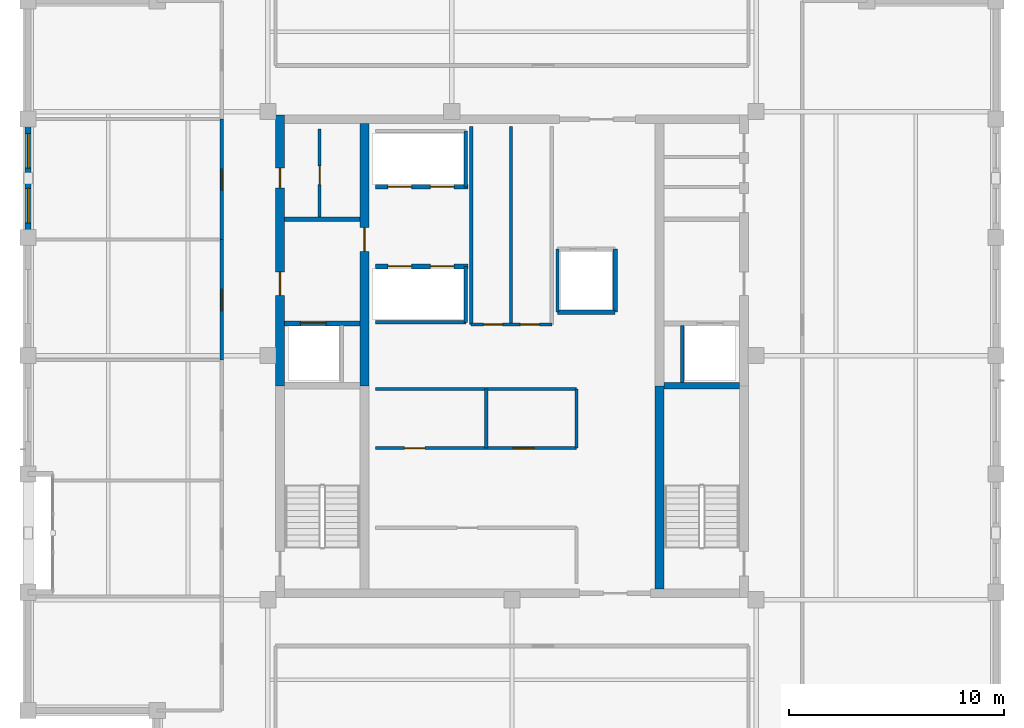
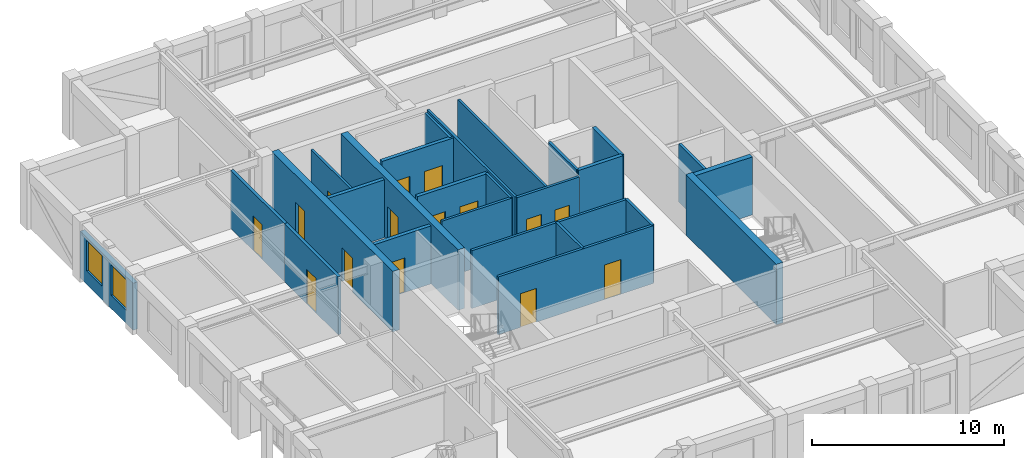
# One storey, part 10 of 13: 26 walls, 15 doors, 2 windows, 17 openings.
"""IFC4 building model written with IfcOpenShell, lengths in metres."""

from ifc_helpers import new_model, si_unit, direction, frame, frame_2d, origin, place, context, subcontext, project, spatial, rectangle, extrude, material, layer, layer_set, type_object, element, fill, save


model = new_model("IFC4")

# Units and contexts
model_context = context("Model", 3, precision=1e-05, world=origin(), true_north=direction((0.0, 1.0)))
body_context = subcontext(model_context, "Body", "Model", "MODEL_VIEW")
ifc_project = project(units=[si_unit("LENGTHUNIT", "METRE"), si_unit("AREAUNIT", "SQUARE_METRE"), si_unit("VOLUMEUNIT", "CUBIC_METRE"), si_unit("PLANEANGLEUNIT", "RADIAN"), si_unit("MASSUNIT", "GRAM", prefix="KILO")], contexts=[model_context])

# Site, building, storey
site_placement = place(None, origin())
site = spatial("IfcSite", under=ifc_project, at=site_placement, CompositionType="ELEMENT")
building_placement = place(site_placement, origin())
building = spatial("IfcBuilding", under=site, at=building_placement, Name="Nhamokura Convention Tower", CompositionType="ELEMENT")
storey_placement = place(building_placement, frame((0.0, 0.0, 300.64990234375)))
storey = spatial("IfcBuildingStorey", under=building, at=storey_placement, Name="L74", CompositionType="ELEMENT", Elevation=300.64990234375)

# Wall, opening, door
ifc_material_1 = material(Name="Moisture-resistant tile-backer partition", Category="masonry")
ifc_layer_1 = layer(ifc_material_1, 0.139892578125)
ifc_layer_set_1 = layer_set([ifc_layer_1], Name="BathroomWetWall_140")
wall_type_1 = type_object("IfcWallType", Name="BathroomWetWall_140", PredefinedType="STANDARD", material=ifc_layer_set_1)
wall_1_placement = place(storey_placement, frame((23.050048828125, 38.449951171875, 0.0), z_axis=(0.0, 0.0, 1.0), x_axis=(0.0, 1.0, 0.0)))
wall_1 = element("IfcWall", 1, at=wall_1_placement, inside=storey, type_object=wall_type_1, Name="L74 Wall INT-L74-CWNWV", PredefinedType="STANDARD", context=body_context, shape_type="SweptSolid", body=[
    extrude(rectangle(XDim=4.10009765625, YDim=0.139892578125, at=frame_2d((2.050048828125, 0.0))), origin(), (0.0, 0.0, 1.0), 3.68505859375),
])
opening_1_placement = place(wall_1_placement, frame((1.5, 0.0, 0.0)))
opening_1 = element("IfcOpeningElement", 2, at=opening_1_placement, cuts=wall_1, Name="Opening D-11", PredefinedType="OPENING", context=body_context, shape_type="SweptSolid", body=[
    extrude(rectangle(XDim=0.8798828125, YDim=2.10009765625, at=frame_2d((0.43994140625, 1.050048828125))), frame((0.0, 0.079833984375, 0.0), z_axis=(0.0, -1.0, 0.0), x_axis=(1.0, 0.0, 0.0)), (0.0, 0.0, 1.0), 0.159912109375),
])
ifc_material_2 = material(Name="Solid oak hardwood", Category="wood")
door_type_1 = type_object("IfcDoorType", Name="BathroomDoor_880", OperationType="NOTDEFINED", PredefinedType="DOOR", material=ifc_material_2)
door_1_placement = place(opening_1_placement, origin())
door_1 = element("IfcDoor", 3, at=door_1_placement, inside=storey, type_object=door_type_1, Name="L74 Inner Store Door", OperationType="SINGLE_SWING_LEFT", OverallHeight=2.10009765625, OverallWidth=0.8798828125, PredefinedType="DOOR", context=body_context, shape_type="SweptSolid", body=[
    extrude(rectangle(XDim=0.8798828125, YDim=2.10009765625, at=frame_2d((0.43994140625, 1.050048828125))), frame((0.0, 0.02490234375, 0.0), z_axis=(0.0, -1.0, 0.0), x_axis=(1.0, 0.0, 0.0)), (0.0, 0.0, 1.0), 0.050048828125),
])
fill(opening_1, door_1)

# Wall, openings, windows
ifc_material_3 = material(Name="Bronze-pigmented precast concrete C45/55", Category="concrete")
ifc_layer_2 = layer(ifc_material_3, 0.280029296875)
ifc_layer_set_2 = layer_set([ifc_layer_2], Name="BronzePrecastSpandrel_280")
wall_type_2 = type_object("IfcWallType", Name="BronzePrecastSpandrel_280", PredefinedType="USERDEFINED", material=ifc_layer_set_2)
wall_2_placement = place(storey_placement, frame((9.5, 37.5, 0.0), z_axis=(0.0, 0.0, 1.0), x_axis=(0.0, 1.0, 0.0)))
wall_2 = element("IfcWall", 4, at=wall_2_placement, inside=storey, type_object=wall_type_2, Name="L74 Masonry-Frame Wall WEST 4", ObjectType="SPANDREL_WALL", PredefinedType="USERDEFINED", context=body_context, shape_type="SweptSolid", body=[
    extrude(rectangle(XDim=5.5, YDim=0.280029296875, at=frame_2d((2.75, 0.0))), origin(), (0.0, 0.0, 1.0), 2.985107421875),
])
opening_2_placement = place(wall_2_placement, frame((0.675048828125, 0.0, 0.85009765625)))
opening_2 = element("IfcOpeningElement", 5, at=opening_2_placement, cuts=wall_2, Name="Opening W-11", PredefinedType="OPENING", context=body_context, shape_type="SweptSolid", body=[
    extrude(rectangle(XDim=1.60009765625, YDim=1.93505859375, at=frame_2d((0.800048828125, 0.967529296875))), frame((0.0, 0.14990234375, 0.0), z_axis=(0.0, -1.0, 0.0), x_axis=(1.0, 0.0, 0.0)), (0.0, 0.0, 1.0), 0.300048828125),
])
opening_3_placement = place(wall_2_placement, frame((3.22509765625, 0.0, 0.85009765625)))
opening_3 = element("IfcOpeningElement", 6, at=opening_3_placement, cuts=wall_2, Name="Opening W-11", PredefinedType="OPENING", context=body_context, shape_type="SweptSolid", body=[
    extrude(rectangle(XDim=1.60009765625, YDim=1.93505859375, at=frame_2d((0.800048828125, 0.967529296875))), frame((0.0, 0.14990234375, 0.0), z_axis=(0.0, -1.0, 0.0), x_axis=(1.0, 0.0, 0.0)), (0.0, 0.0, 1.0), 0.300048828125),
])
ifc_material_4 = material(Name="Solar-control bronze low-E double glass", Category="glass")
window_type = type_object("IfcWindowType", Name="NotchCornerWindow_1600", PartitioningType="SINGLE_PANEL", PredefinedType="WINDOW", material=ifc_material_4)
window_1_placement = place(opening_2_placement, origin())
window_1 = element("IfcWindow", 7, at=window_1_placement, inside=storey, type_object=window_type, Name="L74 Facade Window WEST 4-1", OverallHeight=1.93505859375, OverallWidth=1.60009765625, PartitioningType="SINGLE_PANEL", PredefinedType="WINDOW", context=body_context, shape_type="SweptSolid", body=[
    extrude(rectangle(XDim=1.60009765625, YDim=1.93505859375, at=frame_2d((0.800048828125, 0.967529296875))), frame((0.0, 0.030029296875, 0.0), z_axis=(0.0, -1.0, 0.0), x_axis=(1.0, 0.0, 0.0)), (0.0, 0.0, 1.0), 0.06005859375),
])
fill(opening_2, window_1)
window_2_placement = place(opening_3_placement, origin())
window_2 = element("IfcWindow", 8, at=window_2_placement, inside=storey, type_object=window_type, Name="L74 Facade Window WEST 4-2", OverallHeight=1.93505859375, OverallWidth=1.60009765625, PartitioningType="SINGLE_PANEL", PredefinedType="WINDOW", context=body_context, shape_type="SweptSolid", body=[
    extrude(rectangle(XDim=1.60009765625, YDim=1.93505859375, at=frame_2d((0.800048828125, 0.967529296875))), frame((0.0, 0.030029296875, 0.0), z_axis=(0.0, -1.0, 0.0), x_axis=(1.0, 0.0, 0.0)), (0.0, 0.0, 1.0), 0.06005859375),
])
fill(opening_3, window_2)

# Wall, openings, doors
ifc_material_5 = material(Name="Concrete C50/60", Category="concrete")
ifc_layer_3 = layer(ifc_material_5, 0.39990234375)
ifc_layer_set_3 = layer_set([ifc_layer_3], Name="CoreShearWall_400")
wall_type_3 = type_object("IfcWallType", Name="CoreShearWall_400", PredefinedType="SHEAR", material=ifc_layer_set_3)
wall_3_placement = place(storey_placement, frame((21.2099609375, 30.60009765625, 0.0), z_axis=(0.0, 0.0, 1.0), x_axis=(0.0, 1.0, 0.0)))
wall_3 = element("IfcWall", 9, at=wall_3_placement, inside=storey, type_object=wall_type_3, Name="L74 Core Shear Wall CW-WN", PredefinedType="SHEAR", context=body_context, shape_type="SweptSolid", body=[
    extrude(rectangle(XDim=12.599853515625, YDim=0.39990234375, at=frame_2d((6.2998046875, 0.0))), origin(), (0.0, 0.0, 1.0), 3.85009765625),
])
opening_4_placement = place(wall_3_placement, frame((4.199951171875, 0.0, 0.0)))
opening_4 = element("IfcOpeningElement", 10, at=opening_4_placement, cuts=wall_3, Name="Opening D-05", PredefinedType="OPENING", context=body_context, shape_type="SweptSolid", body=[
    extrude(rectangle(XDim=1.10009765625, YDim=2.14990234375, at=frame_2d((0.550048828125, 1.074951171875))), frame((0.0, 0.2099609375, 0.0), z_axis=(0.0, -1.0, 0.0), x_axis=(1.0, 0.0, 0.0)), (0.0, 0.0, 1.0), 0.419921875),
])
opening_5_placement = place(wall_3_placement, frame((9.199951171875, 0.0, 0.0)))
opening_5 = element("IfcOpeningElement", 11, at=opening_5_placement, cuts=wall_3, Name="Opening D-10", PredefinedType="OPENING", context=body_context, shape_type="SweptSolid", body=[
    extrude(rectangle(XDim=0.919921875, YDim=2.10009765625, at=frame_2d((0.4599609375, 1.050048828125))), frame((0.0, 0.2099609375, 0.0), z_axis=(0.0, -1.0, 0.0), x_axis=(1.0, 0.0, 0.0)), (0.0, 0.0, 1.0), 0.419921875),
])
ifc_material_6 = material(Name="Solid oak hardwood", Category="wood")
door_type_2 = type_object("IfcDoorType", Name="AccessibleWCDoor_920", OperationType="NOTDEFINED", PredefinedType="DOOR", material=ifc_material_6)
door_2_placement = place(opening_5_placement, origin())
door_2 = element("IfcDoor", 12, at=door_2_placement, inside=storey, type_object=door_type_2, Name="L74 Core Door INT-L74-D-AWCW", OperationType="SINGLE_SWING_RIGHT", OverallHeight=2.10009765625, OverallWidth=0.919921875, PredefinedType="DOOR", context=body_context, shape_type="SweptSolid", body=[
    extrude(rectangle(XDim=0.919921875, YDim=2.10009765625, at=frame_2d((0.4599609375, 1.050048828125))), frame((0.0, 0.02490234375, 0.0), z_axis=(0.0, -1.0, 0.0), x_axis=(1.0, 0.0, 0.0)), (0.0, 0.0, 1.0), 0.050048828125),
])
fill(opening_5, door_2)
ifc_material_7 = material(Name="Fire-rated steel door", Category="steel")
door_type_3 = type_object("IfcDoorType", Name="FireLobbyDoor_1100", OperationType="NOTDEFINED", PredefinedType="DOOR", material=ifc_material_7)
door_3_placement = place(opening_4_placement, origin())
door_3 = element("IfcDoor", 13, at=door_3_placement, inside=storey, type_object=door_type_3, Name="L74 Core Door INT-L74-D-FFLW", OperationType="SINGLE_SWING_RIGHT", OverallHeight=2.14990234375, OverallWidth=1.10009765625, PredefinedType="DOOR", context=body_context, shape_type="SweptSolid", body=[
    extrude(rectangle(XDim=1.10009765625, YDim=2.14990234375, at=frame_2d((0.550048828125, 1.074951171875))), frame((0.0, 0.02490234375, 0.0), z_axis=(0.0, -1.0, 0.0), x_axis=(1.0, 0.0, 0.0)), (0.0, 0.0, 1.0), 0.050048828125),
])
fill(opening_4, door_3)

# Wall, opening, door
wall_4_placement = place(storey_placement, frame((25.139892578125, 30.60009765625, 0.0), z_axis=(0.0, 0.0, 1.0), x_axis=(0.0, 1.0, 0.0)))
wall_4 = element("IfcWall", 14, at=wall_4_placement, inside=storey, type_object=wall_type_3, Name="L74 Core Shear Wall CW-IWN", PredefinedType="SHEAR", context=body_context, shape_type="SweptSolid", body=[
    extrude(rectangle(XDim=12.199951171875, YDim=0.39990234375, at=frame_2d((6.10009765625, 0.0))), origin(), (0.0, 0.0, 1.0), 3.85009765625),
])
opening_6_placement = place(wall_4_placement, frame((6.25, 0.0, 0.0)))
opening_6 = element("IfcOpeningElement", 15, at=opening_6_placement, cuts=wall_4, Name="Opening D-05", PredefinedType="OPENING", context=body_context, shape_type="SweptSolid", body=[
    extrude(rectangle(XDim=1.10009765625, YDim=2.14990234375, at=frame_2d((0.550048828125, 1.074951171875))), frame((0.0, 0.2099609375, 0.0), z_axis=(0.0, -1.0, 0.0), x_axis=(1.0, 0.0, 0.0)), (0.0, 0.0, 1.0), 0.419921875),
])
door_4_placement = place(opening_6_placement, origin())
door_4 = element("IfcDoor", 16, at=door_4_placement, inside=storey, type_object=door_type_3, Name="L74 Core Door INT-L74-D-B3LOB", OperationType="SINGLE_SWING_LEFT", OverallHeight=2.14990234375, OverallWidth=1.10009765625, PredefinedType="DOOR", context=body_context, shape_type="SweptSolid", body=[
    extrude(rectangle(XDim=1.10009765625, YDim=2.14990234375, at=frame_2d((0.550048828125, 1.074951171875))), frame((0.0, 0.02490234375, 0.0), z_axis=(0.0, -1.0, 0.0), x_axis=(1.0, 0.0, 0.0)), (0.0, 0.0, 1.0), 0.050048828125),
])
fill(opening_6, door_4)

# Wall
wall_5_placement = place(storey_placement, frame((38.860107421875, 21.14990234375, 0.0), z_axis=(0.0, 0.0, 1.0), x_axis=(0.0, 1.0, 0.0)))
element("IfcWall", 17, at=wall_5_placement, inside=storey, type_object=wall_type_3, Name="L74 Core Shear Wall CW-IES", PredefinedType="SHEAR", context=body_context, shape_type="SweptSolid", body=[
    extrude(rectangle(XDim=9.4501953125, YDim=0.39990234375, at=frame_2d((4.72509765625, 0.0))), origin(), (0.0, 0.0, 1.0), 3.85009765625),
])

# Wall, opening, door
ifc_material_8 = material(Name="Fire-rated gypsum and masonry partition", Category="masonry")
ifc_layer_4 = layer(ifc_material_8, 0.179931640625)
ifc_layer_set_4 = layer_set([ifc_layer_4], Name="CorridorRatedWall_180")
wall_type_4 = type_object("IfcWallType", Name="CorridorRatedWall_180", PredefinedType="STANDARD", material=ifc_layer_set_4)
wall_6_placement = place(storey_placement, frame((18.5, 31.800048828125, 0.0), z_axis=(0.0, 0.0, 1.0), x_axis=(0.0, 1.0, 0.0)))
wall_6 = element("IfcWall", 18, at=wall_6_placement, inside=storey, type_object=wall_type_4, Name="L74 Wall INT-L74-CW-W03", PredefinedType="STANDARD", context=body_context, shape_type="SweptSolid", body=[
    extrude(rectangle(XDim=5.599853515625, YDim=0.179931640625, at=frame_2d((2.7998046875, 0.0))), origin(), (0.0, 0.0, 1.0), 3.68505859375),
])
opening_7_placement = place(wall_6_placement, frame((2.300048828125, 0.0, 0.0)))
opening_7 = element("IfcOpeningElement", 19, at=opening_7_placement, cuts=wall_6, Name="Opening D-08", PredefinedType="OPENING", context=body_context, shape_type="SweptSolid", body=[
    extrude(rectangle(XDim=0.97998046875, YDim=2.199951171875, at=frame_2d((0.489990234375, 1.10009765625))), frame((0.0, 0.099853515625, 0.0), z_axis=(0.0, -1.0, 0.0), x_axis=(1.0, 0.0, 0.0)), (0.0, 0.0, 1.0), 0.199951171875),
])
ifc_material_9 = material(Name="Solid oak hardwood", Category="wood")
door_type_4 = type_object("IfcDoorType", Name="OfficeEntryDoor_980", OperationType="NOTDEFINED", PredefinedType="DOOR", material=ifc_material_9)
door_5_placement = place(opening_7_placement, origin())
door_5 = element("IfcDoor", 20, at=door_5_placement, inside=storey, type_object=door_type_4, Name="L74 Data Laboratory W04 Door", OperationType="SINGLE_SWING_RIGHT", OverallHeight=2.199951171875, OverallWidth=0.97998046875, PredefinedType="DOOR", context=body_context, shape_type="SweptSolid", body=[
    extrude(rectangle(XDim=0.97998046875, YDim=2.199951171875, at=frame_2d((0.489990234375, 1.10009765625))), frame((0.0, 0.02490234375, 0.0), z_axis=(0.0, -1.0, 0.0), x_axis=(1.0, 0.0, 0.0)), (0.0, 0.0, 1.0), 0.050048828125),
])
fill(opening_7, door_5)

wall_7_placement = place(storey_placement, frame((18.5, 37.39990234375, 0.0), z_axis=(0.0, 0.0, 1.0), x_axis=(0.0, 1.0, 0.0)))
wall_7 = element("IfcWall", 21, at=wall_7_placement, inside=storey, type_object=wall_type_4, Name="L74 Wall INT-L74-CW-W04", PredefinedType="STANDARD", context=body_context, shape_type="SweptSolid", body=[
    extrude(rectangle(XDim=5.60009765625, YDim=0.179931640625, at=frame_2d((2.800048828125, 0.0))), origin(), (0.0, 0.0, 1.0), 3.68505859375),
])
opening_8_placement = place(wall_7_placement, frame((2.300048828125, 0.0, 0.0)))
opening_8 = element("IfcOpeningElement", 22, at=opening_8_placement, cuts=wall_7, Name="Opening D-08", PredefinedType="OPENING", context=body_context, shape_type="SweptSolid", body=[
    extrude(rectangle(XDim=0.97998046875, YDim=2.199951171875, at=frame_2d((0.489990234375, 1.10009765625))), frame((0.0, 0.099853515625, 0.0), z_axis=(0.0, -1.0, 0.0), x_axis=(1.0, 0.0, 0.0)), (0.0, 0.0, 1.0), 0.199951171875),
])
door_6_placement = place(opening_8_placement, origin())
door_6 = element("IfcDoor", 23, at=door_6_placement, inside=storey, type_object=door_type_4, Name="L74 Medical Clinic W05 Door", OperationType="SINGLE_SWING_LEFT", OverallHeight=2.199951171875, OverallWidth=0.97998046875, PredefinedType="DOOR", context=body_context, shape_type="SweptSolid", body=[
    extrude(rectangle(XDim=0.97998046875, YDim=2.199951171875, at=frame_2d((0.489990234375, 1.10009765625))), frame((0.0, 0.02490234375, 0.0), z_axis=(0.0, -1.0, 0.0), x_axis=(1.0, 0.0, 0.0)), (0.0, 0.0, 1.0), 0.050048828125),
])
fill(opening_8, door_6)

ifc_material_10 = material(Name="Autoclaved concrete blockwork", Category="masonry")
ifc_layer_5 = layer(ifc_material_10, 0.219970703125)
ifc_layer_set_5 = layer_set([ifc_layer_5], Name="FireLobbyWall_220")
wall_type_5 = type_object("IfcWallType", Name="FireLobbyWall_220", PredefinedType="STANDARD", material=ifc_layer_set_5)
wall_8_placement = place(storey_placement, frame((21.409912109375, 33.5, 0.0), z_axis=(0.0, 0.0, 1.0), x_axis=(1.0, 0.0, 0.0)))
wall_8 = element("IfcWall", 24, at=wall_8_placement, inside=storey, type_object=wall_type_5, Name="L74 Wall INT-L74-FFW-S", PredefinedType="STANDARD", context=body_context, shape_type="SweptSolid", body=[
    extrude(rectangle(XDim=3.530029296875, YDim=0.219970703125, at=frame_2d((1.76513671875, 0.0))), origin(), (0.0, 0.0, 1.0), 3.68505859375),
])
opening_9_placement = place(wall_8_placement, frame((0.75, 0.0, 0.0)))
opening_9 = element("IfcOpeningElement", 25, at=opening_9_placement, cuts=wall_8, Name="Opening LD-02", PredefinedType="OPENING", context=body_context, shape_type="SweptSolid", body=[
    extrude(rectangle(XDim=1.199951171875, YDim=2.199951171875, at=frame_2d((0.60009765625, 1.10009765625))), frame((0.0, 0.119873046875, 0.0), z_axis=(0.0, -1.0, 0.0), x_axis=(1.0, 0.0, 0.0)), (0.0, 0.0, 1.0), 0.239990234375),
])
ifc_material_11 = material(Name="Anodised bronze stainless steel", Category="steel")
door_type_5 = type_object("IfcDoorType", Name="LiftLandingDoor_FireService", OperationType="DOUBLE_DOOR_SLIDING", PredefinedType="DOOR", material=ifc_material_11)
door_7_placement = place(opening_9_placement, origin())
door_7 = element("IfcDoor", 26, at=door_7_placement, inside=storey, type_object=door_type_5, Name="L74 Firefighting Lift LF-01 Door", OperationType="DOUBLE_DOOR_SLIDING", OverallHeight=2.199951171875, OverallWidth=1.199951171875, PredefinedType="DOOR", context=body_context, shape_type="SweptSolid", body=[
    extrude(rectangle(XDim=1.199951171875, YDim=2.199951171875, at=frame_2d((0.60009765625, 1.10009765625))), frame((0.0, 0.02490234375, 0.0), z_axis=(0.0, -1.0, 0.0), x_axis=(1.0, 0.0, 0.0)), (0.0, 0.0, 1.0), 0.050048828125),
])
fill(opening_9, door_7)

# Wall
wall_9_placement = place(storey_placement, frame((21.409912109375, 38.35009765625, 0.0), z_axis=(0.0, 0.0, 1.0), x_axis=(1.0, 0.0, 0.0)))
element("IfcWall", 27, at=wall_9_placement, inside=storey, type_object=wall_type_5, Name="L74 Wall INT-L74-FFW-N", PredefinedType="STANDARD", context=body_context, shape_type="SweptSolid", body=[
    extrude(rectangle(XDim=3.530029296875, YDim=0.219970703125, at=frame_2d((1.76513671875, 0.0))), origin(), (0.0, 0.0, 1.0), 3.68505859375),
])

# Wall, openings, doors
wall_10_placement = place(storey_placement, frame((25.64990234375, 36.14990234375, 0.0), z_axis=(0.0, 0.0, 1.0), x_axis=(1.0, 0.0, 0.0)))
wall_10 = element("IfcWall", 28, at=wall_10_placement, inside=storey, type_object=wall_type_5, Name="L74 Wall INT-L74-B3S", PredefinedType="STANDARD", context=body_context, shape_type="SweptSolid", body=[
    extrude(rectangle(XDim=4.300048828125, YDim=0.219970703125, at=frame_2d((2.14990234375, 0.0))), origin(), (0.0, 0.0, 1.0), 3.68505859375),
])
opening_10_placement = place(wall_10_placement, frame((0.580078125, 0.0, 0.0)))
opening_10 = element("IfcOpeningElement", 29, at=opening_10_placement, cuts=wall_10, Name="Opening LD-01", PredefinedType="OPENING", context=body_context, shape_type="SweptSolid", body=[
    extrude(rectangle(XDim=1.10009765625, YDim=2.14990234375, at=frame_2d((0.550048828125, 1.074951171875))), frame((0.0, 0.119873046875, 0.0), z_axis=(0.0, -1.0, 0.0), x_axis=(1.0, 0.0, 0.0)), (0.0, 0.0, 1.0), 0.239990234375),
])
opening_11_placement = place(wall_10_placement, frame((2.550048828125, 0.0, 0.0)))
opening_11 = element("IfcOpeningElement", 30, at=opening_11_placement, cuts=wall_10, Name="Opening LD-01", PredefinedType="OPENING", context=body_context, shape_type="SweptSolid", body=[
    extrude(rectangle(XDim=1.10009765625, YDim=2.14990234375, at=frame_2d((0.550048828125, 1.074951171875))), frame((0.0, 0.119873046875, 0.0), z_axis=(0.0, -1.0, 0.0), x_axis=(1.0, 0.0, 0.0)), (0.0, 0.0, 1.0), 0.239990234375),
])
ifc_material_12 = material(Name="Anodised bronze stainless steel", Category="steel")
door_type_6 = type_object("IfcDoorType", Name="LiftLandingDoor_Passenger", OperationType="DOUBLE_DOOR_SLIDING", PredefinedType="DOOR", material=ifc_material_12)
door_8_placement = place(opening_10_placement, origin())
door_8 = element("IfcDoor", 31, at=door_8_placement, inside=storey, type_object=door_type_6, Name="L74 Lift LP-09 Door", OperationType="DOUBLE_DOOR_SLIDING", OverallHeight=2.14990234375, OverallWidth=1.10009765625, PredefinedType="DOOR", context=body_context, shape_type="SweptSolid", body=[
    extrude(rectangle(XDim=1.10009765625, YDim=2.14990234375, at=frame_2d((0.550048828125, 1.074951171875))), frame((0.0, 0.02490234375, 0.0), z_axis=(0.0, -1.0, 0.0), x_axis=(1.0, 0.0, 0.0)), (0.0, 0.0, 1.0), 0.050048828125),
])
fill(opening_10, door_8)
door_9_placement = place(opening_11_placement, origin())
door_9 = element("IfcDoor", 32, at=door_9_placement, inside=storey, type_object=door_type_6, Name="L74 Lift LP-10 Door", OperationType="DOUBLE_DOOR_SLIDING", OverallHeight=2.14990234375, OverallWidth=1.10009765625, PredefinedType="DOOR", context=body_context, shape_type="SweptSolid", body=[
    extrude(rectangle(XDim=1.10009765625, YDim=2.14990234375, at=frame_2d((0.550048828125, 1.074951171875))), frame((0.0, 0.02490234375, 0.0), z_axis=(0.0, -1.0, 0.0), x_axis=(1.0, 0.0, 0.0)), (0.0, 0.0, 1.0), 0.050048828125),
])
fill(opening_11, door_9)

wall_11_placement = place(storey_placement, frame((25.64990234375, 39.85009765625, 0.0), z_axis=(0.0, 0.0, 1.0), x_axis=(1.0, 0.0, 0.0)))
wall_11 = element("IfcWall", 33, at=wall_11_placement, inside=storey, type_object=wall_type_5, Name="L74 Wall INT-L74-B3N", PredefinedType="STANDARD", context=body_context, shape_type="SweptSolid", body=[
    extrude(rectangle(XDim=4.300048828125, YDim=0.219970703125, at=frame_2d((2.14990234375, 0.0))), origin(), (0.0, 0.0, 1.0), 3.68505859375),
])
opening_12_placement = place(wall_11_placement, frame((0.580078125, 0.0, 0.0)))
opening_12 = element("IfcOpeningElement", 34, at=opening_12_placement, cuts=wall_11, Name="Opening LD-01", PredefinedType="OPENING", context=body_context, shape_type="SweptSolid", body=[
    extrude(rectangle(XDim=1.10009765625, YDim=2.14990234375, at=frame_2d((0.550048828125, 1.074951171875))), frame((0.0, 0.119873046875, 0.0), z_axis=(0.0, -1.0, 0.0), x_axis=(1.0, 0.0, 0.0)), (0.0, 0.0, 1.0), 0.239990234375),
])
opening_13_placement = place(wall_11_placement, frame((2.550048828125, 0.0, 0.0)))
opening_13 = element("IfcOpeningElement", 35, at=opening_13_placement, cuts=wall_11, Name="Opening LD-01", PredefinedType="OPENING", context=body_context, shape_type="SweptSolid", body=[
    extrude(rectangle(XDim=1.10009765625, YDim=2.14990234375, at=frame_2d((0.550048828125, 1.074951171875))), frame((0.0, 0.119873046875, 0.0), z_axis=(0.0, -1.0, 0.0), x_axis=(1.0, 0.0, 0.0)), (0.0, 0.0, 1.0), 0.239990234375),
])
door_10_placement = place(opening_12_placement, origin())
door_10 = element("IfcDoor", 36, at=door_10_placement, inside=storey, type_object=door_type_6, Name="L74 Lift LP-11 Door", OperationType="DOUBLE_DOOR_SLIDING", OverallHeight=2.14990234375, OverallWidth=1.10009765625, PredefinedType="DOOR", context=body_context, shape_type="SweptSolid", body=[
    extrude(rectangle(XDim=1.10009765625, YDim=2.14990234375, at=frame_2d((0.550048828125, 1.074951171875))), frame((0.0, 0.02490234375, 0.0), z_axis=(0.0, -1.0, 0.0), x_axis=(1.0, 0.0, 0.0)), (0.0, 0.0, 1.0), 0.050048828125),
])
fill(opening_12, door_10)
door_11_placement = place(opening_13_placement, origin())
door_11 = element("IfcDoor", 37, at=door_11_placement, inside=storey, type_object=door_type_6, Name="L74 Lift LP-12 Door", OperationType="DOUBLE_DOOR_SLIDING", OverallHeight=2.14990234375, OverallWidth=1.10009765625, PredefinedType="DOOR", context=body_context, shape_type="SweptSolid", body=[
    extrude(rectangle(XDim=1.10009765625, YDim=2.14990234375, at=frame_2d((0.550048828125, 1.074951171875))), frame((0.0, 0.02490234375, 0.0), z_axis=(0.0, -1.0, 0.0), x_axis=(1.0, 0.0, 0.0)), (0.0, 0.0, 1.0), 0.050048828125),
])
fill(opening_13, door_11)

# Walls
wall_12_placement = place(storey_placement, frame((36.800048828125, 34.02001953125, 0.0), z_axis=(0.0, 0.0, 1.0), x_axis=(0.0, 1.0, 0.0)))
element("IfcWall", 38, at=wall_12_placement, inside=storey, type_object=wall_type_5, Name="L74 Wall INT-L74-LSE", PredefinedType="STANDARD", context=body_context, shape_type="SweptSolid", body=[
    extrude(rectangle(XDim=2.929931640625, YDim=0.219970703125, at=frame_2d((1.46484375, 0.0))), origin(), (0.0, 0.0, 1.0), 3.68505859375),
])
wall_13_placement = place(storey_placement, frame((34.1201171875, 34.02001953125, 0.0), z_axis=(0.0, 0.0, 1.0), x_axis=(1.0, 0.0, 0.0)))
element("IfcWall", 39, at=wall_13_placement, inside=storey, type_object=wall_type_5, Name="L74 Wall INT-L74-LSS", PredefinedType="STANDARD", context=body_context, shape_type="SweptSolid", body=[
    extrude(rectangle(XDim=2.679931640625, YDim=0.219970703125, at=frame_2d((1.33984375, 0.0))), origin(), (0.0, 0.0, 1.0), 3.68505859375),
])
ifc_material_13 = material(Name="Acoustic gypsum stud partition", Category="masonry")
ifc_layer_6 = layer(ifc_material_13, 0.14990234375)
ifc_layer_set_6 = layer_set([ifc_layer_6], Name="InteriorPartition_150")
wall_type_6 = type_object("IfcWallType", Name="InteriorPartition_150", PredefinedType="STANDARD", material=ifc_layer_set_6)
wall_14_placement = place(storey_placement, frame((39.919921875, 30.75, 0.0), z_axis=(0.0, 0.0, 1.0), x_axis=(0.0, 1.0, 0.0)))
element("IfcWall", 40, at=wall_14_placement, inside=storey, type_object=wall_type_6, Name="L74 Wall INT-L74-FF2-W", PredefinedType="STANDARD", context=body_context, shape_type="SweptSolid", body=[
    extrude(rectangle(XDim=2.64990234375, YDim=0.14990234375, at=frame_2d((1.324951171875, 0.0))), origin(), (0.0, 0.0, 1.0), 3.68505859375),
])

# Wall, openings, doors
wall_15_placement = place(storey_placement, frame((25.64990234375, 27.699951171875, 0.0), z_axis=(0.0, 0.0, 1.0), x_axis=(1.0, 0.0, 0.0)))
wall_15 = element("IfcWall", 41, at=wall_15_placement, inside=storey, type_object=wall_type_6, Name="L74 Wall INT-L74-B2R-S", PredefinedType="STANDARD", context=body_context, shape_type="SweptSolid", body=[
    extrude(rectangle(XDim=9.35009765625, YDim=0.14990234375, at=frame_2d((4.675048828125, 0.0))), origin(), (0.0, 0.0, 1.0), 3.68505859375),
])
opening_14_placement = place(wall_15_placement, frame((1.35009765625, 0.0, 0.0)))
opening_14 = element("IfcOpeningElement", 42, at=opening_14_placement, cuts=wall_15, Name="Opening D-09", PredefinedType="OPENING", context=body_context, shape_type="SweptSolid", body=[
    extrude(rectangle(XDim=0.949951171875, YDim=2.14990234375, at=frame_2d((0.47509765625, 1.074951171875))), frame((0.0, 0.0849609375, 0.0), z_axis=(0.0, -1.0, 0.0), x_axis=(1.0, 0.0, 0.0)), (0.0, 0.0, 1.0), 0.169921875),
])
opening_15_placement = place(wall_15_placement, frame((6.39990234375, 0.0, 0.0)))
opening_15 = element("IfcOpeningElement", 43, at=opening_15_placement, cuts=wall_15, Name="Opening D-08", PredefinedType="OPENING", context=body_context, shape_type="SweptSolid", body=[
    extrude(rectangle(XDim=0.97998046875, YDim=2.199951171875, at=frame_2d((0.489990234375, 1.10009765625))), frame((0.0, 0.0849609375, 0.0), z_axis=(0.0, -1.0, 0.0), x_axis=(1.0, 0.0, 0.0)), (0.0, 0.0, 1.0), 0.169921875),
])
ifc_material_14 = material(Name="Solid oak hardwood", Category="wood")
door_type_7 = type_object("IfcDoorType", Name="MeetingRoomDoor_950", OperationType="NOTDEFINED", PredefinedType="DOOR", material=ifc_material_14)
door_12_placement = place(opening_14_placement, origin())
door_12 = element("IfcDoor", 44, at=door_12_placement, inside=storey, type_object=door_type_7, Name="L74 Caucus Suite Door", OperationType="SINGLE_SWING_LEFT", OverallHeight=2.14990234375, OverallWidth=0.949951171875, PredefinedType="DOOR", context=body_context, shape_type="SweptSolid", body=[
    extrude(rectangle(XDim=0.949951171875, YDim=2.14990234375, at=frame_2d((0.47509765625, 1.074951171875))), frame((0.0, 0.02490234375, 0.0), z_axis=(0.0, -1.0, 0.0), x_axis=(1.0, 0.0, 0.0)), (0.0, 0.0, 1.0), 0.050048828125),
])
fill(opening_14, door_12)
door_13_placement = place(opening_15_placement, origin())
door_13 = element("IfcDoor", 45, at=door_13_placement, inside=storey, type_object=door_type_4, Name="L74 Summit Pantry Door", OperationType="SINGLE_SWING_RIGHT", OverallHeight=2.199951171875, OverallWidth=0.97998046875, PredefinedType="DOOR", context=body_context, shape_type="SweptSolid", body=[
    extrude(rectangle(XDim=0.97998046875, YDim=2.199951171875, at=frame_2d((0.489990234375, 1.10009765625))), frame((0.0, 0.02490234375, 0.0), z_axis=(0.0, -1.0, 0.0), x_axis=(1.0, 0.0, 0.0)), (0.0, 0.0, 1.0), 0.050048828125),
])
fill(opening_15, door_13)

# Walls
wall_16_placement = place(storey_placement, frame((25.64990234375, 30.449951171875, 0.0), z_axis=(0.0, 0.0, 1.0), x_axis=(1.0, 0.0, 0.0)))
element("IfcWall", 46, at=wall_16_placement, inside=storey, type_object=wall_type_6, Name="L74 Wall INT-L74-B2R-N", PredefinedType="STANDARD", context=body_context, shape_type="SweptSolid", body=[
    extrude(rectangle(XDim=9.35009765625, YDim=0.14990234375, at=frame_2d((4.675048828125, 0.0))), origin(), (0.0, 0.0, 1.0), 3.68505859375),
])
for number, where, z_axis, x_axis, name in (
    (47, (30.800048828125, 27.699951171875, 0.0), (0.0, 0.0, 1.0), (0.0, 1.0, 0.0), "L74 Wall INT-L74-B2R-M"),
    (48, (35.0, 27.699951171875, 0.0), (0.0, 0.0, 1.0), (0.0, 1.0, 0.0), "L74 Wall INT-L74-B2R-E"),
):
    element("IfcWall", number, at=place(storey_placement, frame(where, z_axis=z_axis, x_axis=x_axis)), inside=storey, type_object=wall_type_6, Name=name, PredefinedType="STANDARD", context=body_context, shape_type="SweptSolid", body=[
        extrude(rectangle(XDim=2.75, YDim=0.14990234375, at=frame_2d((1.375, 0.0))), origin(), (0.0, 0.0, 1.0), 3.68505859375),
    ])
wall_17_placement = place(storey_placement, frame((25.64990234375, 33.550048828125, 0.0), z_axis=(0.0, 0.0, 1.0), x_axis=(1.0, 0.0, 0.0)))
element("IfcWall", 49, at=wall_17_placement, inside=storey, type_object=wall_type_6, Name="L74 Wall INT-L74-B3A-S", PredefinedType="STANDARD", context=body_context, shape_type="SweptSolid", body=[
    extrude(rectangle(XDim=4.2001953125, YDim=0.14990234375, at=frame_2d((2.10009765625, 0.0))), origin(), (0.0, 0.0, 1.0), 3.68505859375),
])
for number, where, z_axis, x_axis, name in (
    (50, (29.85009765625, 33.550048828125, 0.0), (0.0, 0.0, 1.0), (0.0, 1.0, 0.0), "L74 Wall INT-L74-B3A-E"),
    (51, (29.85009765625, 39.85009765625, 0.0), (0.0, 0.0, 1.0), (0.0, 1.0, 0.0), "L74 Wall INT-L74-B3B-E"),
):
    element("IfcWall", number, at=place(storey_placement, frame(where, z_axis=z_axis, x_axis=x_axis)), inside=storey, type_object=wall_type_6, Name=name, PredefinedType="STANDARD", context=body_context, shape_type="SweptSolid", body=[
        extrude(rectangle(XDim=2.599853515625, YDim=0.14990234375, at=frame_2d((1.2998046875, 0.0))), origin(), (0.0, 0.0, 1.0), 3.68505859375),
    ])
for number, where, z_axis, x_axis, name in (
    (52, (30.10009765625, 33.449951171875, 0.0), (0.0, 0.0, 1.0), (0.0, 1.0, 0.0), "L74 Wall INT-L74-ST03W"),
    (53, (31.949951171875, 33.449951171875, 0.0), (0.0, 0.0, 1.0), (0.0, 1.0, 0.0), "L74 Wall INT-L74-ST03M"),
):
    element("IfcWall", number, at=place(storey_placement, frame(where, z_axis=z_axis, x_axis=x_axis)), inside=storey, type_object=wall_type_6, Name=name, PredefinedType="STANDARD", context=body_context, shape_type="SweptSolid", body=[
        extrude(rectangle(XDim=9.199951171875, YDim=0.14990234375, at=frame_2d((4.60009765625, 0.0))), origin(), (0.0, 0.0, 1.0), 3.68505859375),
    ])

# Wall, openings, doors
wall_18_placement = place(storey_placement, frame((30.10009765625, 33.449951171875, 0.0), z_axis=(0.0, 0.0, 1.0), x_axis=(1.0, 0.0, 0.0)))
wall_18 = element("IfcWall", 54, at=wall_18_placement, inside=storey, type_object=wall_type_6, Name="L74 Wall INT-L74-ST03S", PredefinedType="STANDARD", context=body_context, shape_type="SweptSolid", body=[
    extrude(rectangle(XDim=3.75, YDim=0.14990234375, at=frame_2d((1.875, 0.0))), origin(), (0.0, 0.0, 1.0), 3.68505859375),
])
opening_16_placement = place(wall_18_placement, frame((0.580078125, 0.0, 0.0)))
opening_16 = element("IfcOpeningElement", 55, at=opening_16_placement, cuts=wall_18, Name="Opening D-11", PredefinedType="OPENING", context=body_context, shape_type="SweptSolid", body=[
    extrude(rectangle(XDim=0.8798828125, YDim=2.10009765625, at=frame_2d((0.43994140625, 1.050048828125))), frame((0.0, 0.0849609375, 0.0), z_axis=(0.0, -1.0, 0.0), x_axis=(1.0, 0.0, 0.0)), (0.0, 0.0, 1.0), 0.169921875),
])
opening_17_placement = place(wall_18_placement, frame((2.2900390625, 0.0, 0.0)))
opening_17 = element("IfcOpeningElement", 56, at=opening_17_placement, cuts=wall_18, Name="Opening D-11", PredefinedType="OPENING", context=body_context, shape_type="SweptSolid", body=[
    extrude(rectangle(XDim=0.8798828125, YDim=2.10009765625, at=frame_2d((0.43994140625, 1.050048828125))), frame((0.0, 0.0849609375, 0.0), z_axis=(0.0, -1.0, 0.0), x_axis=(1.0, 0.0, 0.0)), (0.0, 0.0, 1.0), 0.169921875),
])
door_14_placement = place(opening_16_placement, origin())
door_14 = element("IfcDoor", 57, at=door_14_placement, inside=storey, type_object=door_type_1, Name="L74 Wellness Suite Door", OperationType="SINGLE_SWING_LEFT", OverallHeight=2.10009765625, OverallWidth=0.8798828125, PredefinedType="DOOR", context=body_context, shape_type="SweptSolid", body=[
    extrude(rectangle(XDim=0.8798828125, YDim=2.10009765625, at=frame_2d((0.43994140625, 1.050048828125))), frame((0.0, 0.02490234375, 0.0), z_axis=(0.0, -1.0, 0.0), x_axis=(1.0, 0.0, 0.0)), (0.0, 0.0, 1.0), 0.050048828125),
])
fill(opening_16, door_14)
door_15_placement = place(opening_17_placement, origin())
door_15 = element("IfcDoor", 58, at=door_15_placement, inside=storey, type_object=door_type_1, Name="L74 Records Archive Door", OperationType="SINGLE_SWING_RIGHT", OverallHeight=2.10009765625, OverallWidth=0.8798828125, PredefinedType="DOOR", context=body_context, shape_type="SweptSolid", body=[
    extrude(rectangle(XDim=0.8798828125, YDim=2.10009765625, at=frame_2d((0.43994140625, 1.050048828125))), frame((0.0, 0.02490234375, 0.0), z_axis=(0.0, -1.0, 0.0), x_axis=(1.0, 0.0, 0.0)), (0.0, 0.0, 1.0), 0.050048828125),
])
fill(opening_17, door_15)

# Walls
wall_19_placement = place(storey_placement, frame((34.1201171875, 34.02001953125, 0.0), z_axis=(0.0, 0.0, 1.0), x_axis=(0.0, 1.0, 0.0)))
element("IfcWall", 59, at=wall_19_placement, inside=storey, type_object=wall_type_6, Name="L74 Wall INT-L74-LSW", PredefinedType="STANDARD", context=body_context, shape_type="SweptSolid", body=[
    extrude(rectangle(XDim=2.929931640625, YDim=0.14990234375, at=frame_2d((1.46484375, 0.0))), origin(), (0.0, 0.0, 1.0), 3.68505859375),
])
ifc_material_15 = material(Name="Concrete C50/60", Category="concrete")
ifc_layer_7 = layer(ifc_material_15, 0.300048828125)
ifc_layer_set_7 = layer_set([ifc_layer_7], Name="ShaftEnclosureWall_300")
wall_type_7 = type_object("IfcWallType", Name="ShaftEnclosureWall_300", PredefinedType="SHEAR", material=ifc_layer_set_7)
wall_20_placement = place(storey_placement, frame((39.06005859375, 30.60009765625, 0.0), z_axis=(0.0, 0.0, 1.0), x_axis=(1.0, 0.0, 0.0)))
element("IfcWall", 60, at=wall_20_placement, inside=storey, type_object=wall_type_7, Name="L74 Wall INT-L74-ST02-N", PredefinedType="SHEAR", context=body_context, shape_type="SweptSolid", body=[
    extrude(rectangle(XDim=3.530029296875, YDim=0.300048828125, at=frame_2d((1.76513671875, 0.0))), origin(), (0.0, 0.0, 1.0), 3.68505859375),
])

save(model, "model.ifc")
